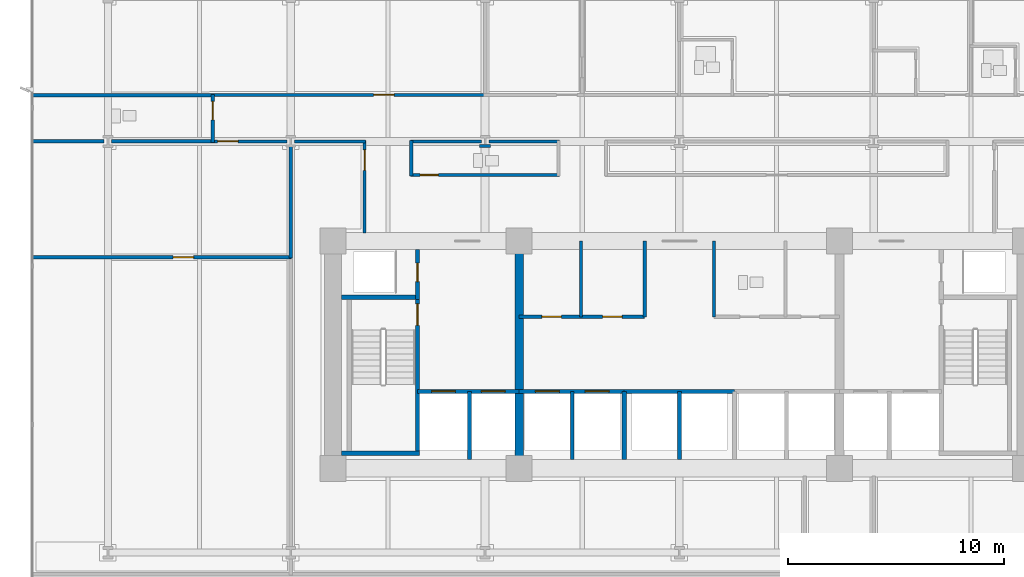
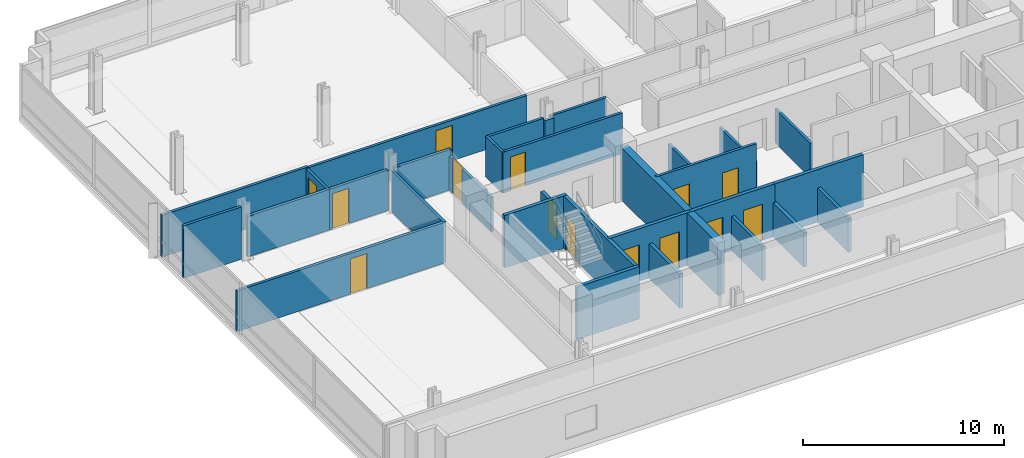
# One storey, part 8 of 17: 31 walls, 14 doors, 14 openings.
"""IFC4 building model written with IfcOpenShell, lengths in metres."""

from ifc_helpers import new_model, si_unit, direction, frame, frame_2d, origin, place, context, subcontext, project, spatial, rectangle, extrude, material, layer, layer_set, type_object, element, fill, save


model = new_model("IFC4")

# Units and contexts
model_context = context("Model", 3, precision=1e-05, world=origin(), true_north=direction((0.0, 1.0)))
body_context = subcontext(model_context, "Body", "Model", "MODEL_VIEW")
ifc_project = project(units=[si_unit("LENGTHUNIT", "METRE"), si_unit("AREAUNIT", "SQUARE_METRE"), si_unit("VOLUMEUNIT", "CUBIC_METRE"), si_unit("PLANEANGLEUNIT", "RADIAN"), si_unit("MASSUNIT", "GRAM", prefix="KILO")], contexts=[model_context])

# Site, building, storey
site_placement = place(None, origin())
site = spatial("IfcSite", under=ifc_project, at=site_placement, CompositionType="ELEMENT")
building_placement = place(site_placement, origin())
building = spatial("IfcBuilding", under=site, at=building_placement, Name="Solmavex Isthmus Hotel", CompositionType="ELEMENT")
storey_placement = place(building_placement, frame((0.0, 0.0, 47.10009765625)))
storey = spatial("IfcBuildingStorey", under=building, at=storey_placement, Name="L12", CompositionType="ELEMENT", Elevation=47.10009765625)

# Walls
ifc_material_1 = material(Name="Gypsum plasterboard lining", Category="gypsum")
ifc_layer_1 = layer(ifc_material_1, 0.159912109375)
ifc_layer_set_1 = layer_set([ifc_layer_1], Name="Gypsum plasterboard lining")
wall_type_1 = type_object("IfcWallType", Name="IW-COMP-160", PredefinedType="PARTITIONING", material=ifc_layer_set_1)
wall_1_placement = place(storey_placement, frame((-21.511962890625, 4.22998046875, 0.0), z_axis=(0.0, 0.0, 1.0), x_axis=(-1.0, 0.0, 0.0)))
element("IfcWall", 1, at=wall_1_placement, inside=storey, type_object=wall_type_1, Name="Interior Partition Wall W-L12-P037", PredefinedType="PARTITIONING", context=body_context, shape_type="SweptSolid", body=[
    extrude(rectangle(XDim=8.407958984375, YDim=0.159912109375, at=frame_2d((4.2041015625, 0.0))), origin(), (0.0, 0.0, 1.0), 2.55322265625),
])
wall_2_placement = place(storey_placement, frame((-26.574951171875, 2.10009765625, 0.0), z_axis=(0.0, 0.0, 1.0), x_axis=(-1.0, 0.0, 0.0)))
element("IfcWall", 2, at=wall_2_placement, inside=storey, type_object=wall_type_1, Name="Interior Partition Wall W-L12-P073", PredefinedType="PARTITIONING", context=body_context, shape_type="SweptSolid", body=[
    extrude(rectangle(XDim=3.344970703125, YDim=0.159912109375, at=frame_2d((1.67236328125, 0.0))), origin(), (0.0, 0.0, 1.0), 3.18994140625),
])
wall_3_placement = place(storey_placement, frame((-21.511962890625, 2.10009765625, 0.0), z_axis=(0.0, 0.0, 1.0), x_axis=(-1.0, 0.0, 0.0)))
element("IfcWall", 3, at=wall_3_placement, inside=storey, type_object=wall_type_1, Name="Interior Partition Wall W-L12-P074", PredefinedType="PARTITIONING", context=body_context, shape_type="SweptSolid", body=[
    extrude(rectangle(XDim=4.713134765625, YDim=0.159912109375, at=frame_2d((2.3564453125, 0.0))), origin(), (0.0, 0.0, 1.0), 2.4794921875),
])
wall_4_placement = place(storey_placement, frame((-17.951904296875, 1.925048828125, 0.0), z_axis=(0.0, 0.0, 1.0), x_axis=(0.0, -1.0, 0.0)))
element("IfcWall", 4, at=wall_4_placement, inside=storey, type_object=wall_type_1, Name="Interior Partition Wall W-L12-P077", PredefinedType="PARTITIONING", context=body_context, shape_type="SweptSolid", body=[
    extrude(rectangle(XDim=5.215087890625, YDim=0.159912109375, at=frame_2d((2.607421875, 0.0))), origin(), (0.0, 0.0, 1.0), 2.4794921875),
])

# Wall, opening, door
wall_5_placement = place(storey_placement, frame((-17.912109375, -3.25, 0.0), z_axis=(0.0, 0.0, 1.0), x_axis=(-1.0, 0.0, 0.0)))
wall_5 = element("IfcWall", 5, at=wall_5_placement, inside=storey, type_object=wall_type_1, Name="Interior Partition Wall W-L12-P078", PredefinedType="PARTITIONING", context=body_context, shape_type="SweptSolid", body=[
    extrude(rectangle(XDim=12.0078125, YDim=0.159912109375, at=frame_2d((6.00390625, 0.0))), origin(), (0.0, 0.0, 1.0), 2.4794921875),
])
opening_1_placement = place(wall_5_placement, frame((4.527099609375, 0.0, 0.0)))
opening_1 = element("IfcOpeningElement", 6, at=opening_1_placement, cuts=wall_5, Name="Opening ID-C095", PredefinedType="OPENING", context=body_context, shape_type="SweptSolid", body=[
    extrude(rectangle(XDim=0.949951171875, YDim=2.14990234375, at=frame_2d((0.47509765625, 1.074951171875))), frame((0.0, 0.08984375, 0.0), z_axis=(0.0, -1.0, 0.0), x_axis=(1.0, 0.0, 0.0)), (0.0, 0.0, 1.0), 0.179931640625),
])
ifc_material_2 = material(Name="Hardwood timber", Category="wood")
door_type_1 = type_object("IfcDoorType", Name="IDR-FD60-0950", OperationType="NOTDEFINED", PredefinedType="DOOR", material=ifc_material_2)
door_1_placement = place(opening_1_placement, origin())
door_1 = element("IfcDoor", 7, at=door_1_placement, inside=storey, type_object=door_type_1, Name="Corporate Briefing Office Door L12-25", OperationType="SINGLE_SWING_LEFT", OverallHeight=2.14990234375, OverallWidth=0.949951171875, PredefinedType="DOOR", context=body_context, shape_type="SweptSolid", body=[
    extrude(rectangle(XDim=0.949951171875, YDim=2.14990234375, at=frame_2d((0.47509765625, 1.074951171875))), frame((0.0, 0.02490234375, 0.0), z_axis=(0.0, -1.0, 0.0), x_axis=(1.0, 0.0, 0.0)), (0.0, 0.0, 1.0), 0.050048828125),
])
fill(opening_1, door_1)

# Wall, openings, doors
ifc_layer_2 = layer(ifc_material_1, 0.14990234375)
ifc_layer_set_2 = layer_set([ifc_layer_2], Name="Gypsum plasterboard lining")
wall_type_2 = type_object("IfcWallType", Name="IW-CORR-150", PredefinedType="PARTITIONING", material=ifc_layer_set_2)
wall_6_placement = place(storey_placement, frame((-7.39990234375, -6.0, 0.0), z_axis=(0.0, 0.0, 1.0), x_axis=(1.0, 0.0, 0.0)))
wall_6 = element("IfcWall", 8, at=wall_6_placement, inside=storey, type_object=wall_type_2, Name="Interior Partition Wall W-L12-BOH-WS", PredefinedType="PARTITIONING", context=body_context, shape_type="SweptSolid", body=[
    extrude(rectangle(XDim=5.7998046875, YDim=0.14990234375, at=frame_2d((2.89990234375, 0.0))), origin(), (0.0, 0.0, 1.0), 3.18994140625),
])
opening_2_placement = place(wall_6_placement, frame((1.050048828125, 0.0, 0.0)))
opening_2 = element("IfcOpeningElement", 9, at=opening_2_placement, cuts=wall_6, Name="Opening ID-C090", PredefinedType="OPENING", context=body_context, shape_type="SweptSolid", body=[
    extrude(rectangle(XDim=0.89990234375, YDim=2.10009765625, at=frame_2d((0.449951171875, 1.050048828125))), frame((0.0, 0.0849609375, 0.0), z_axis=(0.0, -1.0, 0.0), x_axis=(1.0, 0.0, 0.0)), (0.0, 0.0, 1.0), 0.169921875),
])
opening_3_placement = place(wall_6_placement, frame((3.85009765625, 0.0, 0.0)))
opening_3 = element("IfcOpeningElement", 10, at=opening_3_placement, cuts=wall_6, Name="Opening ID-C090", PredefinedType="OPENING", context=body_context, shape_type="SweptSolid", body=[
    extrude(rectangle(XDim=0.89990234375, YDim=2.10009765625, at=frame_2d((0.449951171875, 1.050048828125))), frame((0.0, 0.0849609375, 0.0), z_axis=(0.0, -1.0, 0.0), x_axis=(1.0, 0.0, 0.0)), (0.0, 0.0, 1.0), 0.169921875),
])
door_type_2 = type_object("IfcDoorType", Name="IDR-FD60-0900", OperationType="NOTDEFINED", PredefinedType="DOOR", material=ifc_material_2)
door_2_placement = place(opening_2_placement, frame((0.89990234375, 0.0, 0.0), z_axis=(0.0, 0.0, 1.0), x_axis=(-1.0, 0.0, 0.0)))
door_2 = element("IfcDoor", 11, at=door_2_placement, inside=storey, type_object=door_type_2, Name="Linen Room Door L12", OperationType="SINGLE_SWING_LEFT", OverallHeight=2.10009765625, OverallWidth=0.89990234375, PredefinedType="DOOR", context=body_context, shape_type="SweptSolid", body=[
    extrude(rectangle(XDim=0.89990234375, YDim=2.10009765625, at=frame_2d((0.449951171875, 1.050048828125))), frame((0.0, 0.02490234375, 0.0), z_axis=(0.0, -1.0, 0.0), x_axis=(1.0, 0.0, 0.0)), (0.0, 0.0, 1.0), 0.050048828125),
])
fill(opening_2, door_2)
door_3_placement = place(opening_3_placement, frame((0.89990234375, 0.0, 0.0), z_axis=(0.0, 0.0, 1.0), x_axis=(-1.0, 0.0, 0.0)))
door_3 = element("IfcDoor", 12, at=door_3_placement, inside=storey, type_object=door_type_2, Name="Ice Pantry Door L12", OperationType="SINGLE_SWING_RIGHT", OverallHeight=2.10009765625, OverallWidth=0.89990234375, PredefinedType="DOOR", context=body_context, shape_type="SweptSolid", body=[
    extrude(rectangle(XDim=0.89990234375, YDim=2.10009765625, at=frame_2d((0.449951171875, 1.050048828125))), frame((0.0, 0.02490234375, 0.0), z_axis=(0.0, -1.0, 0.0), x_axis=(1.0, 0.0, 0.0)), (0.0, 0.0, 1.0), 0.050048828125),
])
fill(opening_3, door_3)

# Walls
for number, where, z_axis, x_axis, name in (
    (13, (-1.60009765625, -6.0, 0.0), (0.0, 0.0, 1.0), (0.0, 1.0, 0.0), "Interior Partition Wall W-L12-BOH-WE"),
    (14, (1.60009765625, -6.0, 0.0), (0.0, 0.0, 1.0), (0.0, 1.0, 0.0), "Interior Partition Wall W-L12-BOH-EW"),
):
    element("IfcWall", number, at=place(storey_placement, frame(where, z_axis=z_axis, x_axis=x_axis)), inside=storey, type_object=wall_type_2, Name=name, PredefinedType="PARTITIONING", context=body_context, shape_type="SweptSolid", body=[
        extrude(rectangle(XDim=3.5, YDim=0.14990234375, at=frame_2d((1.75, 0.0))), origin(), (0.0, 0.0, 1.0), 2.074951171875),
    ])

# Wall, opening, door
wall_7_placement = place(storey_placement, frame((-21.592041015625, 4.25, 0.0), z_axis=(0.0, 0.0, 1.0), x_axis=(1.0, 0.0, 0.0)))
wall_7 = element("IfcWall", 15, at=wall_7_placement, inside=storey, type_object=wall_type_2, Name="Interior Partition Wall W-L12-P001", PredefinedType="PARTITIONING", context=body_context, shape_type="SweptSolid", body=[
    extrude(rectangle(XDim=12.697998046875, YDim=0.14990234375, at=frame_2d((6.34912109375, 0.0))), origin(), (0.0, 0.0, 1.0), 2.4794921875),
])
opening_4_placement = place(wall_7_placement, frame((7.4638671875, 0.0, 0.0)))
opening_4 = element("IfcOpeningElement", 16, at=opening_4_placement, cuts=wall_7, Name="Opening ID-C095", PredefinedType="OPENING", context=body_context, shape_type="SweptSolid", body=[
    extrude(rectangle(XDim=0.949951171875, YDim=2.14990234375, at=frame_2d((0.47509765625, 1.074951171875))), frame((0.0, 0.0849609375, 0.0), z_axis=(0.0, -1.0, 0.0), x_axis=(1.0, 0.0, 0.0)), (0.0, 0.0, 1.0), 0.169921875),
])
door_4_placement = place(opening_4_placement, origin())
door_4 = element("IfcDoor", 17, at=door_4_placement, inside=storey, type_object=door_type_1, Name="Corporate Briefing Office Door L12-01", OperationType="SINGLE_SWING_LEFT", OverallHeight=2.14990234375, OverallWidth=0.949951171875, PredefinedType="DOOR", context=body_context, shape_type="SweptSolid", body=[
    extrude(rectangle(XDim=0.949951171875, YDim=2.14990234375, at=frame_2d((0.47509765625, 1.074951171875))), frame((0.0, 0.02490234375, 0.0), z_axis=(0.0, -1.0, 0.0), x_axis=(1.0, 0.0, 0.0)), (0.0, 0.0, 1.0), 0.050048828125),
])
fill(opening_4, door_4)

# Walls
wall_8_placement = place(storey_placement, frame((-9.15087890625, 2.10009765625, 0.0), z_axis=(0.0, 0.0, 1.0), x_axis=(-1.0, 0.0, 0.0)))
element("IfcWall", 18, at=wall_8_placement, inside=storey, type_object=wall_type_2, Name="Interior Partition Wall W-L12-P011", PredefinedType="PARTITIONING", context=body_context, shape_type="SweptSolid", body=[
    extrude(rectangle(XDim=3.273193359375, YDim=0.14990234375, at=frame_2d((1.63671875, 0.0))), origin(), (0.0, 0.0, 1.0), 2.4794921875),
])
wall_9_placement = place(storey_placement, frame((-12.384033203125, 2.139892578125, 0.0), z_axis=(0.0, 0.0, 1.0), x_axis=(0.0, -1.0, 0.0)))
element("IfcWall", 19, at=wall_9_placement, inside=storey, type_object=wall_type_2, Name="Interior Partition Wall W-L12-P012", PredefinedType="PARTITIONING", context=body_context, shape_type="SweptSolid", body=[
    extrude(rectangle(XDim=1.6298828125, YDim=0.14990234375, at=frame_2d((0.81494140625, 0.0))), origin(), (0.0, 0.0, 1.0), 2.4794921875),
])

# Wall, opening, door
wall_10_placement = place(storey_placement, frame((-12.424072265625, 0.550048828125, 0.0), z_axis=(0.0, 0.0, 1.0), x_axis=(1.0, 0.0, 0.0)))
wall_10 = element("IfcWall", 20, at=wall_10_placement, inside=storey, type_object=wall_type_2, Name="Interior Partition Wall W-L12-P013", PredefinedType="PARTITIONING", context=body_context, shape_type="SweptSolid", body=[
    extrude(rectangle(XDim=6.8759765625, YDim=0.14990234375, at=frame_2d((3.43798828125, 0.0))), origin(), (0.0, 0.0, 1.0), 2.4794921875),
])
opening_5_placement = place(wall_10_placement, frame((0.444091796875, 0.0, 0.0)))
opening_5 = element("IfcOpeningElement", 21, at=opening_5_placement, cuts=wall_10, Name="Opening ID-R085", PredefinedType="OPENING", context=body_context, shape_type="SweptSolid", body=[
    extrude(rectangle(XDim=0.85009765625, YDim=2.050048828125, at=frame_2d((0.425048828125, 1.02490234375))), frame((0.0, 0.0849609375, 0.0), z_axis=(0.0, -1.0, 0.0), x_axis=(1.0, 0.0, 0.0)), (0.0, 0.0, 1.0), 0.169921875),
])
ifc_material_3 = material(Name="Steel ASTM A500 Grade C", Category="steel")
door_type_3 = type_object("IfcDoorType", Name="IDR-FD60-0850", OperationType="NOTDEFINED", PredefinedType="DOOR", material=ifc_material_3)
door_5_placement = place(opening_5_placement, frame((0.85009765625, 0.0, 0.0), z_axis=(0.0, 0.0, 1.0), x_axis=(-1.0, 0.0, 0.0)))
door_5 = element("IfcDoor", 22, at=door_5_placement, inside=storey, type_object=door_type_3, Name="Accessible Public Restroom WC Door L12-16", OperationType="SINGLE_SWING_RIGHT", OverallHeight=2.050048828125, OverallWidth=0.85009765625, PredefinedType="DOOR", context=body_context, shape_type="SweptSolid", body=[
    extrude(rectangle(XDim=0.85009765625, YDim=2.050048828125, at=frame_2d((0.425048828125, 1.02490234375))), frame((0.0, 0.02490234375, 0.0), z_axis=(0.0, -1.0, 0.0), x_axis=(1.0, 0.0, 0.0)), (0.0, 0.0, 1.0), 0.050048828125),
])
fill(opening_5, door_5)

# Walls
wall_11_placement = place(storey_placement, frame((-5.548095703125, 2.10009765625, 0.0), z_axis=(0.0, 0.0, 1.0), x_axis=(-1.0, 0.0, 0.0)))
element("IfcWall", 23, at=wall_11_placement, inside=storey, type_object=wall_type_2, Name="Interior Partition Wall W-L12-P015", PredefinedType="PARTITIONING", context=body_context, shape_type="SweptSolid", body=[
    extrude(rectangle(XDim=3.2529296875, YDim=0.14990234375, at=frame_2d((1.62646484375, 0.0))), origin(), (0.0, 0.0, 1.0), 2.4794921875),
])
wall_12_placement = place(storey_placement, frame((-8.720947265625, 1.885009765625, 0.0), z_axis=(0.0, 0.0, 1.0), x_axis=(-1.0, 0.0, 0.0)))
element("IfcWall", 24, at=wall_12_placement, inside=storey, type_object=wall_type_2, Name="Interior Partition Wall W-L12-P016", PredefinedType="PARTITIONING", context=body_context, shape_type="SweptSolid", body=[
    extrude(rectangle(XDim=0.510009765625, YDim=0.14990234375, at=frame_2d((0.2548828125, 0.0))), origin(), (0.0, 0.0, 1.0), 2.4794921875),
])

# Wall, opening, door
wall_13_placement = place(storey_placement, frame((-21.552001953125, 2.06005859375, 0.0), z_axis=(0.0, 0.0, 1.0), x_axis=(0.0, 1.0, 0.0)))
wall_13 = element("IfcWall", 25, at=wall_13_placement, inside=storey, type_object=wall_type_2, Name="Interior Partition Wall W-L12-P017", PredefinedType="PARTITIONING", context=body_context, shape_type="SweptSolid", body=[
    extrude(rectangle(XDim=2.2099609375, YDim=0.14990234375, at=frame_2d((1.10498046875, 0.0))), origin(), (0.0, 0.0, 1.0), 2.4794921875),
])
opening_6_placement = place(wall_13_placement, frame((1.037841796875, 0.0, 0.0)))
opening_6 = element("IfcOpeningElement", 26, at=opening_6_placement, cuts=wall_13, Name="Opening ID-R085", PredefinedType="OPENING", context=body_context, shape_type="SweptSolid", body=[
    extrude(rectangle(XDim=0.85009765625, YDim=2.050048828125, at=frame_2d((0.425048828125, 1.02490234375))), frame((0.0, 0.0849609375, 0.0), z_axis=(0.0, -1.0, 0.0), x_axis=(1.0, 0.0, 0.0)), (0.0, 0.0, 1.0), 0.169921875),
])
door_6_placement = place(opening_6_placement, origin())
door_6 = element("IfcDoor", 27, at=door_6_placement, inside=storey, type_object=door_type_3, Name="Public Restroom WC Door L12-17", OperationType="SINGLE_SWING_LEFT", OverallHeight=2.050048828125, OverallWidth=0.85009765625, PredefinedType="DOOR", context=body_context, shape_type="SweptSolid", body=[
    extrude(rectangle(XDim=0.85009765625, YDim=2.050048828125, at=frame_2d((0.425048828125, 1.02490234375))), frame((0.0, 0.02490234375, 0.0), z_axis=(0.0, -1.0, 0.0), x_axis=(1.0, 0.0, 0.0)), (0.0, 0.0, 1.0), 0.050048828125),
])
fill(opening_6, door_6)

wall_14_placement = place(storey_placement, frame((-18.126953125, 2.10009765625, 0.0), z_axis=(0.0, 0.0, 1.0), x_axis=(-1.0, 0.0, 0.0)))
wall_14 = element("IfcWall", 28, at=wall_14_placement, inside=storey, type_object=wall_type_2, Name="Interior Partition Wall W-L12-P027", PredefinedType="PARTITIONING", context=body_context, shape_type="SweptSolid", body=[
    extrude(rectangle(XDim=3.465087890625, YDim=0.14990234375, at=frame_2d((1.732421875, 0.0))), origin(), (0.0, 0.0, 1.0), 2.4794921875),
])
opening_7_placement = place(wall_14_placement, frame((2.252685546875, 0.0, 0.0)))
opening_7 = element("IfcOpeningElement", 29, at=opening_7_placement, cuts=wall_14, Name="Opening ID-C095", PredefinedType="OPENING", context=body_context, shape_type="SweptSolid", body=[
    extrude(rectangle(XDim=0.949951171875, YDim=2.14990234375, at=frame_2d((0.47509765625, 1.074951171875))), frame((0.0, 0.0849609375, 0.0), z_axis=(0.0, -1.0, 0.0), x_axis=(1.0, 0.0, 0.0)), (0.0, 0.0, 1.0), 0.169921875),
])
door_7_placement = place(opening_7_placement, origin())
door_7 = element("IfcDoor", 30, at=door_7_placement, inside=storey, type_object=door_type_1, Name="Catering Servery Kitchen Door L12-20", OperationType="SINGLE_SWING_RIGHT", OverallHeight=2.14990234375, OverallWidth=0.949951171875, PredefinedType="DOOR", context=body_context, shape_type="SweptSolid", body=[
    extrude(rectangle(XDim=0.949951171875, YDim=2.14990234375, at=frame_2d((0.47509765625, 1.074951171875))), frame((0.0, 0.02490234375, 0.0), z_axis=(0.0, -1.0, 0.0), x_axis=(1.0, 0.0, 0.0)), (0.0, 0.0, 1.0), 0.050048828125),
])
fill(opening_7, door_7)

wall_15_placement = place(storey_placement, frame((-14.5439453125, -2.139892578125, 0.0), z_axis=(0.0, 0.0, 1.0), x_axis=(0.0, 1.0, 0.0)))
wall_15 = element("IfcWall", 31, at=wall_15_placement, inside=storey, type_object=wall_type_2, Name="Interior Partition Wall W-L12-P031", PredefinedType="PARTITIONING", context=body_context, shape_type="SweptSolid", body=[
    extrude(rectangle(XDim=4.27978515625, YDim=0.14990234375, at=frame_2d((2.139892578125, 0.0))), origin(), (0.0, 0.0, 1.0), 2.074951171875),
])
opening_8_placement = place(wall_15_placement, frame((2.89990234375, 0.0, 0.0)))
opening_8 = element("IfcOpeningElement", 32, at=opening_8_placement, cuts=wall_15, Name="Opening ID-C095", PredefinedType="OPENING", context=body_context, shape_type="SweptSolid", body=[
    extrude(rectangle(XDim=0.949951171875, YDim=2.14990234375, at=frame_2d((0.47509765625, 1.074951171875))), frame((0.0, 0.0849609375, 0.0), z_axis=(0.0, -1.0, 0.0), x_axis=(1.0, 0.0, 0.0)), (0.0, 0.0, 1.0), 0.169921875),
])
door_8_placement = place(opening_8_placement, frame((0.949951171875, 0.0, 0.0), z_axis=(0.0, 0.0, 1.0), x_axis=(-1.0, 0.0, 0.0)))
door_8 = element("IfcDoor", 33, at=door_8_placement, inside=storey, type_object=door_type_1, Name="Executive Hospitality Lounge Door L12-23", OperationType="SINGLE_SWING_LEFT", OverallHeight=2.14990234375, OverallWidth=0.949951171875, PredefinedType="DOOR", context=body_context, shape_type="SweptSolid", body=[
    extrude(rectangle(XDim=0.949951171875, YDim=2.14990234375, at=frame_2d((0.47509765625, 1.074951171875))), frame((0.0, 0.02490234375, 0.0), z_axis=(0.0, -1.0, 0.0), x_axis=(1.0, 0.0, 0.0)), (0.0, 0.0, 1.0), 0.050048828125),
])
fill(opening_8, door_8)

# Walls
wall_16_placement = place(storey_placement, frame((-14.50390625, 2.10009765625, 0.0), z_axis=(0.0, 0.0, 1.0), x_axis=(-1.0, 0.0, 0.0)))
element("IfcWall", 34, at=wall_16_placement, inside=storey, type_object=wall_type_2, Name="Interior Partition Wall W-L12-P032", PredefinedType="PARTITIONING", context=body_context, shape_type="SweptSolid", body=[
    extrude(rectangle(XDim=3.273193359375, YDim=0.14990234375, at=frame_2d((1.63671875, 0.0))), origin(), (0.0, 0.0, 1.0), 2.4794921875),
])
ifc_layer_3 = layer(ifc_material_1, 0.1201171875)
ifc_layer_set_3 = layer_set([ifc_layer_3], Name="Gypsum plasterboard lining")
wall_type_3 = type_object("IfcWallType", Name="IW-PART-120", PredefinedType="PARTITIONING", material=ifc_layer_set_3)
wall_17_placement = place(storey_placement, frame((-4.550048828125, -6.0, 0.0), z_axis=(0.0, 0.0, 1.0), x_axis=(0.0, 1.0, 0.0)))
element("IfcWall", 35, at=wall_17_placement, inside=storey, type_object=wall_type_3, Name="Interior Partition Wall W-L12-BOH-WM2", PredefinedType="PARTITIONING", context=body_context, shape_type="SweptSolid", body=[
    extrude(rectangle(XDim=3.5, YDim=0.14990234375, at=frame_2d((1.75, 0.0))), origin(), (0.0, 0.0, 1.0), 2.074951171875),
])
ifc_material_4 = material(Name="Concrete C40/50", Category="concrete")
ifc_layer_4 = layer(ifc_material_4, 0.179931640625)
ifc_layer_set_4 = layer_set([ifc_layer_4], Name="Concrete C40/50")
wall_type_4 = type_object("IfcWallType", Name="IW-SHAFT-180", PredefinedType="PARTITIONING", material=ifc_layer_set_4)
for number, where, z_axis, x_axis, name in (
    (36, (-4.949951171875, -12.60009765625, 0.0), (0.0, 0.0, 1.0), (0.0, 1.0, 0.0), "Interior Partition Wall W-L12-SH-PLL-M"),
    (37, (0.0, -12.60009765625, 0.0), (0.0, 0.0, 1.0), (0.0, 1.0, 0.0), "Interior Partition Wall W-L12-SH-PLM-M"),
):
    element("IfcWall", number, at=place(storey_placement, frame(where, z_axis=z_axis, x_axis=x_axis)), inside=storey, type_object=wall_type_4, Name=name, PredefinedType="PARTITIONING", context=body_context, shape_type="SweptSolid", body=[
        extrude(rectangle(XDim=3.150146484375, YDim=0.179931640625, at=frame_2d((1.5751953125, 0.0))), origin(), (0.0, 0.0, 1.0), 2.074951171875),
    ])

# Wall, opening, door
ifc_layer_5 = layer(ifc_material_4, 0.199951171875)
ifc_layer_set_5 = layer_set([ifc_layer_5], Name="Concrete C40/50")
wall_type_5 = type_object("IfcWallType", Name="IW-SHAFT-200", PredefinedType="PARTITIONING", material=ifc_layer_set_5)
wall_18_placement = place(storey_placement, frame((-12.10009765625, -5.199951171875, 0.0), z_axis=(0.0, 0.0, 1.0), x_axis=(0.0, 1.0, 0.0)))
wall_18 = element("IfcWall", 38, at=wall_18_placement, inside=storey, type_object=wall_type_5, Name="Interior Partition Wall W-L12-RSW-E", PredefinedType="PARTITIONING", context=body_context, shape_type="SweptSolid", body=[
    extrude(rectangle(XDim=2.300048828125, YDim=0.199951171875, at=frame_2d((1.14990234375, 0.0))), origin(), (0.0, 0.0, 1.0), 2.074951171875),
])
opening_9_placement = place(wall_18_placement, frame((0.824951171875, 0.0, 0.0)))
opening_9 = element("IfcOpeningElement", 39, at=opening_9_placement, cuts=wall_18, Name="Opening ID-R085", PredefinedType="OPENING", context=body_context, shape_type="SweptSolid", body=[
    extrude(rectangle(XDim=0.85009765625, YDim=2.050048828125, at=frame_2d((0.425048828125, 1.02490234375))), frame((0.0, 0.10986328125, 0.0), z_axis=(0.0, -1.0, 0.0), x_axis=(1.0, 0.0, 0.0)), (0.0, 0.0, 1.0), 0.219970703125),
])
door_9_placement = place(opening_9_placement, origin())
door_9 = element("IfcDoor", 40, at=door_9_placement, inside=storey, type_object=door_type_3, Name="Electrical Riser Door L12", OperationType="SINGLE_SWING_RIGHT", OverallHeight=2.050048828125, OverallWidth=0.85009765625, PredefinedType="DOOR", context=body_context, shape_type="SweptSolid", body=[
    extrude(rectangle(XDim=0.85009765625, YDim=2.050048828125, at=frame_2d((0.425048828125, 1.02490234375))), frame((0.0, 0.02490234375, 0.0), z_axis=(0.0, -1.0, 0.0), x_axis=(1.0, 0.0, 0.0)), (0.0, 0.0, 1.0), 0.050048828125),
])
fill(opening_9, door_9)

# Wall, openings, doors
wall_19_placement = place(storey_placement, frame((-12.10009765625, -9.449951171875, 0.0), z_axis=(0.0, 0.0, 1.0), x_axis=(1.0, 0.0, 0.0)))
wall_19 = element("IfcWall", 41, at=wall_19_placement, inside=storey, type_object=wall_type_5, Name="Interior Partition Wall W-L12-FFLW-S", PredefinedType="PARTITIONING", context=body_context, shape_type="SweptSolid", body=[
    extrude(rectangle(XDim=4.7001953125, YDim=0.199951171875, at=frame_2d((2.35009765625, 0.0))), origin(), (0.0, 0.0, 1.0), 3.18994140625),
])
opening_10_placement = place(wall_19_placement, frame((0.64990234375, 0.0, 0.0)))
opening_10 = element("IfcOpeningElement", 42, at=opening_10_placement, cuts=wall_19, Name="Opening LD-FF", PredefinedType="OPENING", context=body_context, shape_type="SweptSolid", body=[
    extrude(rectangle(XDim=1.10009765625, YDim=2.199951171875, at=frame_2d((0.550048828125, 1.10009765625))), frame((0.0, 0.10986328125, 0.0), z_axis=(0.0, -1.0, 0.0), x_axis=(1.0, 0.0, 0.0)), (0.0, 0.0, 1.0), 0.219970703125),
])
opening_11_placement = place(wall_19_placement, frame((2.949951171875, 0.0, 0.0)))
opening_11 = element("IfcOpeningElement", 43, at=opening_11_placement, cuts=wall_19, Name="Opening LD-SV", PredefinedType="OPENING", context=body_context, shape_type="SweptSolid", body=[
    extrude(rectangle(XDim=1.10009765625, YDim=2.199951171875, at=frame_2d((0.550048828125, 1.10009765625))), frame((0.0, 0.10986328125, 0.0), z_axis=(0.0, -1.0, 0.0), x_axis=(1.0, 0.0, 0.0)), (0.0, 0.0, 1.0), 0.219970703125),
])
ifc_material_5 = material(Name="Stainless steel 316", Category="steel")
door_type_4 = type_object("IfcDoorType", Name="LDR-FF-1100", OperationType="NOTDEFINED", PredefinedType="DOOR", material=ifc_material_5)
door_10_placement = place(opening_10_placement, origin())
door_10 = element("IfcDoor", 44, at=door_10_placement, inside=storey, type_object=door_type_4, Name="Lift Landing Door FFL-1 L12", OperationType="SLIDING_TO_LEFT", OverallHeight=2.199951171875, OverallWidth=1.10009765625, PredefinedType="DOOR", context=body_context, shape_type="SweptSolid", body=[
    extrude(rectangle(XDim=1.10009765625, YDim=2.199951171875, at=frame_2d((0.550048828125, 1.10009765625))), frame((0.0, 0.02490234375, 0.0), z_axis=(0.0, -1.0, 0.0), x_axis=(1.0, 0.0, 0.0)), (0.0, 0.0, 1.0), 0.050048828125),
])
fill(opening_10, door_10)
door_type_5 = type_object("IfcDoorType", Name="LDR-SV-1100", OperationType="NOTDEFINED", PredefinedType="DOOR", material=ifc_material_5)
door_11_placement = place(opening_11_placement, origin())
door_11 = element("IfcDoor", 45, at=door_11_placement, inside=storey, type_object=door_type_5, Name="Lift Landing Door SVL-1 L12", OperationType="SLIDING_TO_RIGHT", OverallHeight=2.199951171875, OverallWidth=1.10009765625, PredefinedType="DOOR", context=body_context, shape_type="SweptSolid", body=[
    extrude(rectangle(XDim=1.10009765625, YDim=2.199951171875, at=frame_2d((0.550048828125, 1.10009765625))), frame((0.0, 0.02490234375, 0.0), z_axis=(0.0, -1.0, 0.0), x_axis=(1.0, 0.0, 0.0)), (0.0, 0.0, 1.0), 0.050048828125),
])
fill(opening_11, door_11)

# Wall
wall_20_placement = place(storey_placement, frame((-9.699951171875, -12.60009765625, 0.0), z_axis=(0.0, 0.0, 1.0), x_axis=(0.0, 1.0, 0.0)))
element("IfcWall", 46, at=wall_20_placement, inside=storey, type_object=wall_type_5, Name="Interior Partition Wall W-L12-FFLW-M", PredefinedType="PARTITIONING", context=body_context, shape_type="SweptSolid", body=[
    extrude(rectangle(XDim=3.150146484375, YDim=0.199951171875, at=frame_2d((1.5751953125, 0.0))), origin(), (0.0, 0.0, 1.0), 2.074951171875),
])

# Wall, openings, doors
wall_21_placement = place(storey_placement, frame((-7.39990234375, -9.449951171875, 0.0), z_axis=(0.0, 0.0, 1.0), x_axis=(1.0, 0.0, 0.0)))
wall_21 = element("IfcWall", 47, at=wall_21_placement, inside=storey, type_object=wall_type_5, Name="Interior Partition Wall W-L12-SH-PLL", PredefinedType="PARTITIONING", context=body_context, shape_type="SweptSolid", body=[
    extrude(rectangle(XDim=4.849853515625, YDim=0.199951171875, at=frame_2d((2.4248046875, 0.0))), origin(), (0.0, 0.0, 1.0), 3.18994140625),
])
opening_12_placement = place(wall_21_placement, frame((0.75, 0.0, 0.0)))
opening_12 = element("IfcOpeningElement", 48, at=opening_12_placement, cuts=wall_21, Name="Opening LD-PL", PredefinedType="OPENING", context=body_context, shape_type="SweptSolid", body=[
    extrude(rectangle(XDim=1.10009765625, YDim=2.199951171875, at=frame_2d((0.550048828125, 1.10009765625))), frame((0.0, 0.10986328125, 0.0), z_axis=(0.0, -1.0, 0.0), x_axis=(1.0, 0.0, 0.0)), (0.0, 0.0, 1.0), 0.219970703125),
])
opening_13_placement = place(wall_21_placement, frame((3.050048828125, 0.0, 0.0)))
opening_13 = element("IfcOpeningElement", 49, at=opening_13_placement, cuts=wall_21, Name="Opening LD-PL", PredefinedType="OPENING", context=body_context, shape_type="SweptSolid", body=[
    extrude(rectangle(XDim=1.10009765625, YDim=2.199951171875, at=frame_2d((0.550048828125, 1.10009765625))), frame((0.0, 0.10986328125, 0.0), z_axis=(0.0, -1.0, 0.0), x_axis=(1.0, 0.0, 0.0)), (0.0, 0.0, 1.0), 0.219970703125),
])
door_type_6 = type_object("IfcDoorType", Name="LDR-PL-1100", OperationType="NOTDEFINED", PredefinedType="DOOR", material=ifc_material_5)
door_12_placement = place(opening_12_placement, origin())
door_12 = element("IfcDoor", 50, at=door_12_placement, inside=storey, type_object=door_type_6, Name="Lift Landing Door PLL1 L12", OperationType="SLIDING_TO_LEFT", OverallHeight=2.199951171875, OverallWidth=1.10009765625, PredefinedType="DOOR", context=body_context, shape_type="SweptSolid", body=[
    extrude(rectangle(XDim=1.10009765625, YDim=2.199951171875, at=frame_2d((0.550048828125, 1.10009765625))), frame((0.0, 0.02490234375, 0.0), z_axis=(0.0, -1.0, 0.0), x_axis=(1.0, 0.0, 0.0)), (0.0, 0.0, 1.0), 0.050048828125),
])
fill(opening_12, door_12)
door_13_placement = place(opening_13_placement, origin())
door_13 = element("IfcDoor", 51, at=door_13_placement, inside=storey, type_object=door_type_6, Name="Lift Landing Door PLL2 L12", OperationType="SLIDING_TO_LEFT", OverallHeight=2.199951171875, OverallWidth=1.10009765625, PredefinedType="DOOR", context=body_context, shape_type="SweptSolid", body=[
    extrude(rectangle(XDim=1.10009765625, YDim=2.199951171875, at=frame_2d((0.550048828125, 1.10009765625))), frame((0.0, 0.02490234375, 0.0), z_axis=(0.0, -1.0, 0.0), x_axis=(1.0, 0.0, 0.0)), (0.0, 0.0, 1.0), 0.050048828125),
])
fill(opening_13, door_13)

# Walls
wall_22_placement = place(storey_placement, frame((-2.550048828125, -12.60009765625, 0.0), z_axis=(0.0, 0.0, 1.0), x_axis=(0.0, 1.0, 0.0)))
element("IfcWall", 52, at=wall_22_placement, inside=storey, type_object=wall_type_5, Name="Interior Partition Wall W-L12-SH-PLL-E", PredefinedType="PARTITIONING", context=body_context, shape_type="SweptSolid", body=[
    extrude(rectangle(XDim=3.150146484375, YDim=0.199951171875, at=frame_2d((1.5751953125, 0.0))), origin(), (0.0, 0.0, 1.0), 2.074951171875),
])
wall_23_placement = place(storey_placement, frame((-2.550048828125, -9.449951171875, 0.0), z_axis=(0.0, 0.0, 1.0), x_axis=(1.0, 0.0, 0.0)))
element("IfcWall", 53, at=wall_23_placement, inside=storey, type_object=wall_type_5, Name="Interior Partition Wall W-L12-SH-PLM", PredefinedType="PARTITIONING", context=body_context, shape_type="SweptSolid", body=[
    extrude(rectangle(XDim=5.10009765625, YDim=0.199951171875, at=frame_2d((2.550048828125, 0.0))), origin(), (0.0, 0.0, 1.0), 3.18994140625),
])
ifc_material_6 = material(Name="Concrete C70/85", Category="concrete")
ifc_layer_6 = layer(ifc_material_6, 0.39990234375)
ifc_layer_set_6 = layer_set([ifc_layer_6], Name="Concrete C70/85")
wall_type_6 = type_object("IfcWallType", Name="WALL-CW-400L", PredefinedType="SHEAR", material=ifc_layer_set_6)
wall_24_placement = place(storey_placement, frame((-7.39990234375, -12.60009765625, 0.0), z_axis=(0.0, 0.0, 1.0), x_axis=(0.0, 1.0, 0.0)))
element("IfcWall", 54, at=wall_24_placement, inside=storey, type_object=wall_type_6, Name="Core Cross Shear Wall C1 L12", PredefinedType="SHEAR", context=body_context, shape_type="SweptSolid", body=[
    extrude(rectangle(XDim=9.7001953125, YDim=0.39990234375, at=frame_2d((4.85009765625, 0.0))), origin(), (0.0, 0.0, 1.0), 3.18994140625),
])
ifc_layer_7 = layer(ifc_material_4, 0.199951171875)
ifc_layer_set_7 = layer_set([ifc_layer_7], Name="Concrete C40/50")
wall_type_7 = type_object("IfcWallType", Name="WALL-SW-200", PredefinedType="SOLIDWALL", material=ifc_layer_set_7)
for number, where, z_axis, x_axis, name in (
    (55, (-15.60009765625, -12.300048828125, 0.0), (0.0, 0.0, 1.0), (1.0, 0.0, 0.0), "Stairwell Structural Wall SW-L12-ST1-S"),
    (56, (-15.60009765625, -5.10009765625, 0.0), (0.0, 0.0, 1.0), (1.0, 0.0, 0.0), "Stairwell Structural Wall SW-L12-ST1-N"),
):
    element("IfcWall", number, at=place(storey_placement, frame(where, z_axis=z_axis, x_axis=x_axis)), inside=storey, type_object=wall_type_7, Name=name, PredefinedType="SOLIDWALL", context=body_context, shape_type="SweptSolid", body=[
        extrude(rectangle(XDim=3.60009765625, YDim=0.199951171875, at=frame_2d((1.800048828125, 0.0))), origin(), (0.0, 0.0, 1.0), 3.18994140625),
    ])

# Wall, opening, door
wall_25_placement = place(storey_placement, frame((-12.10009765625, -12.199951171875, 0.0), z_axis=(0.0, 0.0, 1.0), x_axis=(0.0, 1.0, 0.0)))
wall_25 = element("IfcWall", 57, at=wall_25_placement, inside=storey, type_object=wall_type_7, Name="Stairwell Structural Wall SW-L12-ST1-E", PredefinedType="SOLIDWALL", context=body_context, shape_type="SweptSolid", body=[
    extrude(rectangle(XDim=7.0, YDim=0.199951171875, at=frame_2d((3.5, 0.0))), origin(), (0.0, 0.0, 1.0), 3.18994140625),
])
opening_14_placement = place(wall_25_placement, frame((5.800048828125, 0.0, 0.0)))
opening_14 = element("IfcOpeningElement", 58, at=opening_14_placement, cuts=wall_25, Name="Opening ID-F100", PredefinedType="OPENING", context=body_context, shape_type="SweptSolid", body=[
    extrude(rectangle(XDim=1.0, YDim=2.10009765625, at=frame_2d((0.5, 1.050048828125))), frame((0.0, 0.10986328125, 0.0), z_axis=(0.0, -1.0, 0.0), x_axis=(1.0, 0.0, 0.0)), (0.0, 0.0, 1.0), 0.219970703125),
])
door_type_7 = type_object("IfcDoorType", Name="IDR-FD90-1000", OperationType="NOTDEFINED", PredefinedType="DOOR", material=ifc_material_3)
door_14_placement = place(opening_14_placement, frame((1.0, 0.0, 0.0), z_axis=(0.0, 0.0, 1.0), x_axis=(-1.0, 0.0, 0.0)))
door_14 = element("IfcDoor", 59, at=door_14_placement, inside=storey, type_object=door_type_7, Name="Stair ST-1 Fire Door L12", OperationType="SINGLE_SWING_LEFT", OverallHeight=2.10009765625, OverallWidth=1.0, PredefinedType="DOOR", context=body_context, shape_type="SweptSolid", body=[
    extrude(rectangle(XDim=1.0, YDim=2.10009765625, at=frame_2d((0.5, 1.050048828125))), frame((0.0, 0.02490234375, 0.0), z_axis=(0.0, -1.0, 0.0), x_axis=(1.0, 0.0, 0.0)), (0.0, 0.0, 1.0), 0.050048828125),
])
fill(opening_14, door_14)

save(model, "model.ifc")
